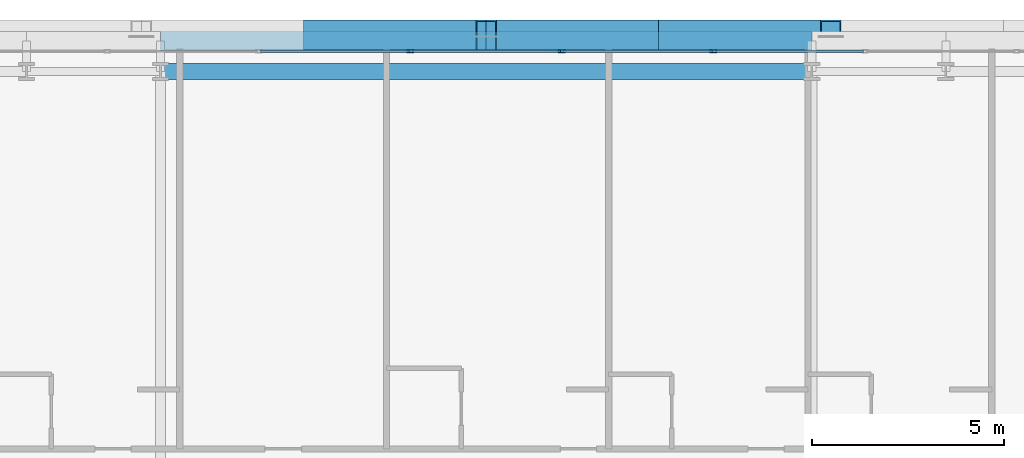
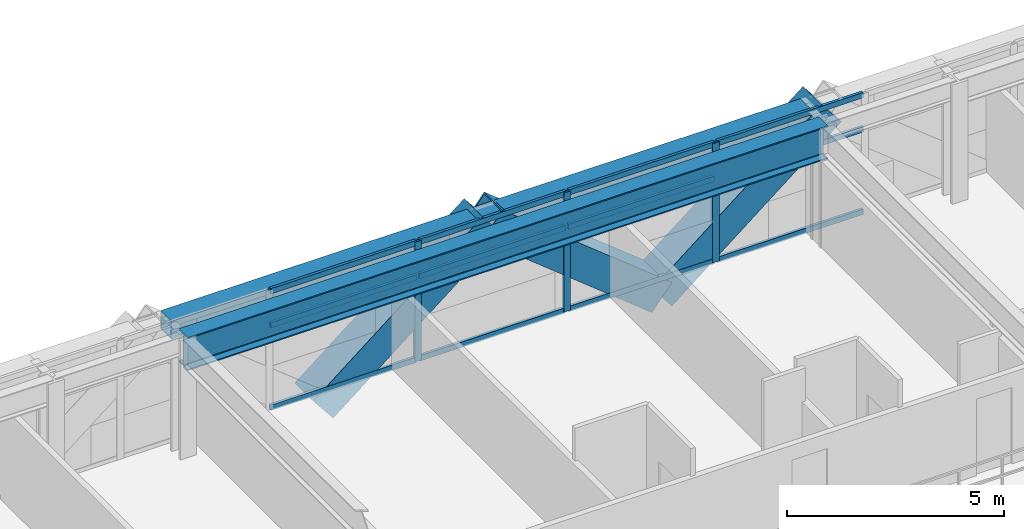
# One storey, part 22 of 41: 18 members, 2 beams, 1 element without a shape of its own.
"""IFC4 building model written with IfcOpenShell, lengths in metres."""

import ifcopenshell
import ifcopenshell.guid

model = None  # the IFC model being written
_history = None  # IfcOwnerHistory: only IFC2X3 demands one
_inside = {}  # id of a spatial element -> (the spatial element, [elements in it])
_under = {}  # id of a project, library or spatial element -> (it, [spatial elements below it])
_declared = {}  # id of a project -> (the project, [libraries it declares])
_typed = {}  # id of a type object -> (the type object, [elements of that type])
_made_of = {}  # id of a material, layer set ... -> (it, [elements and type objects made of it])


def new_model(schema):
    """Start an empty IFC model of exactly this schema.

    Asked for "IFC4X3", IfcOpenShell would pick the latest addendum, in which some entities
    have other attributes; the version numbers below select the first issue.
    IFC2X3 requires an IfcOwnerHistory on every rooted entity: one is made here for all.
    """
    global model, _history
    if schema == "IFC4X3":
        model = ifcopenshell.file(schema_version=(4, 3, 0, 0))
    else:
        model = ifcopenshell.file(schema=schema)
    _inside.clear()
    _under.clear()
    _declared.clear()
    _typed.clear()
    _made_of.clear()
    _history = None
    if model.schema == "IFC2X3":
        org = make("IfcOrganization", Name="unknown")
        user = make(
            "IfcPersonAndOrganization",
            ThePerson=make("IfcPerson", FamilyName="unknown"),
            TheOrganization=org,
        )
        app = make(
            "IfcApplication",
            ApplicationDeveloper=org,
            Version="unknown",
            ApplicationFullName="unknown",
            ApplicationIdentifier="unknown",
        )
        _history = make(
            "IfcOwnerHistory",
            OwningUser=user,
            OwningApplication=app,
            ChangeAction="ADDED",
            CreationDate=0,
        )
    return model


def make(cls, **values):
    """One entity of the class cls with the attributes given. An attribute that is None is left unset."""
    return model.create_entity(
        cls, **{name: value for name, value in values.items() if value is not None}
    )


def rooted(cls, **values):
    """An entity with a GlobalId (a new one), such as an element, a storey or a relation."""
    return make(cls, GlobalId=ifcopenshell.guid.new(), OwnerHistory=_history, **values)


def si_unit(unit_type, name, prefix=None):
    """IfcSIUnit, for example si_unit("LENGTHUNIT", "METRE", prefix="MILLI")."""
    return make("IfcSIUnit", UnitType=unit_type, Prefix=prefix, Name=name)


def assignment(units):
    """IfcUnitAssignment: the units of a project."""
    return None if units is None else make("IfcUnitAssignment", Units=units)


def point(xyz):
    """IfcCartesianPoint."""
    return None if xyz is None else make("IfcCartesianPoint", Coordinates=xyz)


def direction(xyz):
    """IfcDirection."""
    return None if xyz is None else make("IfcDirection", DirectionRatios=xyz)


def frame(location, z_axis=None, x_axis=None):
    """IfcAxis2Placement3D, a coordinate frame: its origin and axes. An axis left out is left unset."""
    return make(
        "IfcAxis2Placement3D",
        Location=point(location),
        Axis=direction(z_axis),
        RefDirection=direction(x_axis),
    )


def frame_2d(location, x_axis=None):
    """IfcAxis2Placement2D, a coordinate frame in the plane: its origin and x axis."""
    return make(
        "IfcAxis2Placement2D", Location=point(location), RefDirection=direction(x_axis)
    )


def origin():
    """The frame at (0, 0, 0) with its axes left unset."""
    return frame((0.0, 0.0, 0.0))


def origin_2d():
    """The frame at (0, 0) in the plane with its x axis left unset."""
    return frame_2d((0.0, 0.0))


def place(relative_to, where):
    """IfcLocalPlacement: puts the frame where relative to a parent placement (None: the world)."""
    return make(
        "IfcLocalPlacement", PlacementRelTo=relative_to, RelativePlacement=where
    )


def context(
    kind, dimensions, precision=None, world=None, true_north=None, identifier=None
):
    """IfcGeometricRepresentationContext, for example the 3D "Model" context."""
    return make(
        "IfcGeometricRepresentationContext",
        ContextIdentifier=identifier,
        ContextType=kind,
        CoordinateSpaceDimension=dimensions,
        Precision=precision,
        WorldCoordinateSystem=world,
        TrueNorth=true_north,
    )


def subcontext(parent, identifier, kind, view, scale=None):
    """IfcGeometricRepresentationSubContext, for example "Body" below "Model"."""
    return make(
        "IfcGeometricRepresentationSubContext",
        ContextIdentifier=identifier,
        ContextType=kind,
        ParentContext=parent,
        TargetScale=scale,
        TargetView=view,
    )


def project(units=None, contexts=None):
    """IfcProject with its units and contexts."""
    return rooted(
        "IfcProject",
        Name="project",
        RepresentationContexts=contexts,
        UnitsInContext=assignment(units),
    )


def spatial(cls, under=None, at=None, **own):
    """A site, building, storey or space (cls), placed at a placement, below another one or the project."""
    s = rooted(cls, ObjectPlacement=at, **own)
    if under is not None:
        _under.setdefault(under.id(), (under, []))[1].append(s)
    return s


def profile(cls, at=None, kind="AREA", **sizes):
    """A parametric profile (cls). Its sizes go by their IFC names, for example OverallWidth=200.0."""
    return make(cls, ProfileType=kind, Position=at, **sizes)


def hollow_rectangle(**sizes):
    """IfcRectangleHollowProfileDef."""
    return profile("IfcRectangleHollowProfileDef", **sizes)


def i_section(**sizes):
    """IfcIShapeProfileDef."""
    return profile("IfcIShapeProfileDef", **sizes)


def extrude(swept, where, along, depth):
    """IfcExtrudedAreaSolid: the profile swept, set in the frame where, extruded along a direction by depth."""
    return make(
        "IfcExtrudedAreaSolid",
        SweptArea=swept,
        Position=where,
        ExtrudedDirection=direction(along),
        Depth=depth,
    )


def shape(context_of_items, identifier, shape_type, items):
    """IfcShapeRepresentation: the items that make up one representation, for example the "Body"."""
    return make(
        "IfcShapeRepresentation",
        ContextOfItems=context_of_items,
        RepresentationIdentifier=identifier,
        RepresentationType=shape_type,
        Items=items,
    )


def source(mapping_origin, context_of_items, identifier, shape_type, items):
    """IfcRepresentationMap: a shape defined once, which mapped items show again and again."""
    return make(
        "IfcRepresentationMap",
        MappingOrigin=mapping_origin,
        MappedRepresentation=shape(context_of_items, identifier, shape_type, items),
    )


def transform(
    local_origin,
    x_axis=None,
    y_axis=None,
    z_axis=None,
    scale=None,
    scale2=None,
    scale3=None,
    uniform=True,
):
    """IfcCartesianTransformationOperator3D, or its non-uniform kind. x_axis, y_axis, z_axis: its Axis1, 2, 3."""
    if uniform:
        return make(
            "IfcCartesianTransformationOperator3D",
            Axis1=direction(x_axis),
            Axis2=direction(y_axis),
            LocalOrigin=point(local_origin),
            Scale=scale,
            Axis3=direction(z_axis),
        )
    return make(
        "IfcCartesianTransformationOperator3DnonUniform",
        Axis1=direction(x_axis),
        Axis2=direction(y_axis),
        LocalOrigin=point(local_origin),
        Scale=scale,
        Axis3=direction(z_axis),
        Scale2=scale2,
        Scale3=scale3,
    )


def mapped(mapping_source, mapping_target):
    """IfcMappedItem: shows the shape of a source again, moved by a transform."""
    return make(
        "IfcMappedItem", MappingSource=mapping_source, MappingTarget=mapping_target
    )


def material(Name=None, Category=None):
    """IfcMaterial."""
    return make("IfcMaterial", Name=Name, Category=Category)


def layer(
    of_material, thickness, ventilated=None, Name=None, Category=None, Priority=None
):
    """IfcMaterialLayer: one layer of a wall or slab, of a material (None: an air gap)."""
    return make(
        "IfcMaterialLayer",
        Material=of_material,
        LayerThickness=thickness,
        IsVentilated=ventilated,
        Name=Name,
        Category=Category,
        Priority=Priority,
    )


def layer_set(layers, Name=None):
    """IfcMaterialLayerSet."""
    return make("IfcMaterialLayerSet", MaterialLayers=layers, LayerSetName=Name)


def material_profile(
    of_material, cross_section, Name=None, Category=None, Priority=None
):
    """IfcMaterialProfile: a cross section and its material."""
    return make(
        "IfcMaterialProfile",
        Name=Name,
        Material=of_material,
        Profile=cross_section,
        Priority=Priority,
        Category=Category,
    )


def profile_set(profiles, Name=None, composite=None):
    """IfcMaterialProfileSet."""
    return make(
        "IfcMaterialProfileSet",
        Name=Name,
        MaterialProfiles=profiles,
        CompositeProfile=composite,
    )


def made_of(thing, what):
    """Note that an element or type object is made of a material, layer set ...; save() writes the relation."""
    if what is not None:
        _made_of.setdefault(what.id(), (what, []))[1].append(thing)
    return thing


def type_object(cls, material=None, **own):
    """A type object (cls), such as IfcWallType, which elements share."""
    return made_of(rooted(cls, **own), material)


def element(
    cls,
    number,
    at=None,
    inside=None,
    cuts=None,
    type_object=None,
    material=None,
    context=None,
    identifier="Body",
    shape_type=None,
    held_by="IfcProductDefinitionShape",
    body=None,
    shapes=None,
    **own,
):
    """One element of the class cls, such as IfcWall. Its Tag is "e" and its number.

    at: its placement. inside: the storey or other place that contains it. cuts: it is an
    opening in that element (IfcRelVoidsElement). A single representation is given by context,
    identifier, shape_type and body (its items); several are given by shapes. held_by: the class
    of the entity that holds the representations. save() writes the other relations.
    """
    e = rooted(cls, Tag="e%d" % number, ObjectPlacement=at, **own)
    if body is not None:
        shapes = [shape(context, identifier, shape_type, body)]
    if shapes is not None:
        e.Representation = make(held_by, Representations=shapes)
    if inside is not None:
        _inside.setdefault(inside.id(), (inside, []))[1].append(e)
    if cuts is not None:
        rooted(
            "IfcRelVoidsElement", RelatingBuildingElement=cuts, RelatedOpeningElement=e
        )
    if type_object is not None:
        _typed.setdefault(type_object.id(), (type_object, []))[1].append(e)
    return made_of(e, material)


def aggregate(whole, parts):
    """IfcRelAggregates: a whole, such as a stair, and the parts it consists of."""
    return rooted("IfcRelAggregates", RelatingObject=whole, RelatedObjects=parts)


def save(model, path):
    """Write the relations noted so far, then the file.

    IfcRelAggregates (storeys below a building ...), IfcRelContainedInSpatialStructure (elements
    in a storey), IfcRelDefinesByType, IfcRelAssociatesMaterial and IfcRelDeclares: one each for
    every whole, place, type object, material and project.
    """
    for whole, parts in _under.values():
        aggregate(whole, parts)
    for where, things in _inside.values():
        rooted(
            "IfcRelContainedInSpatialStructure",
            RelatedElements=things,
            RelatingStructure=where,
        )
    for kind, things in _typed.values():
        rooted("IfcRelDefinesByType", RelatedObjects=things, RelatingType=kind)
    for what, things in _made_of.values():
        rooted("IfcRelAssociatesMaterial", RelatedObjects=things, RelatingMaterial=what)
    for by, libraries in _declared.values():
        rooted("IfcRelDeclares", RelatingContext=by, RelatedDefinitions=libraries)
    model.write(path)


model = new_model("IFC4")

# Units and contexts
model_context = context("Model", 3, precision=1e-05, world=origin(), true_north=direction((0.0, 1.0)))
body_context = subcontext(model_context, "Body", "Model", "MODEL_VIEW")
ifc_project = project(units=[si_unit("LENGTHUNIT", "METRE"), si_unit("AREAUNIT", "SQUARE_METRE"), si_unit("VOLUMEUNIT", "CUBIC_METRE"), si_unit("PLANEANGLEUNIT", "RADIAN"), si_unit("MASSUNIT", "GRAM", prefix="KILO")], contexts=[model_context])

# Site, building, storey
site_placement = place(None, origin())
site = spatial("IfcSite", under=ifc_project, at=site_placement, CompositionType="ELEMENT")
building_placement = place(site_placement, origin())
building = spatial("IfcBuilding", under=site, at=building_placement, Name="Ocotamira Hotel", CompositionType="ELEMENT")
storey_placement = place(building_placement, frame((0.0, 0.0, 67.199951171875)))
storey = spatial("IfcBuildingStorey", under=building, at=storey_placement, Name="L16", CompositionType="ELEMENT", Elevation=67.199951171875)

# Beams
ifc_material_1 = material(Name="Steel ASTM A992 Grade 50", Category="steel")
ifc_material_profile_1 = material_profile(ifc_material_1, i_section(OverallWidth=0.41796875, OverallDepth=0.927001953125, WebThickness=0.019287109375, FlangeThickness=0.031982421875, FilletRadius=0.02392578125, at=origin_2d()), Name="W36X231")
ifc_profile_set_1 = profile_set([ifc_material_profile_1], Name="Steel ASTM A992 Grade 50")
beam_type_1 = type_object("IfcBeamType", Name="BM-GIRD-W36X231", PredefinedType="BEAM", material=ifc_profile_set_1)
shared_shape_1 = source(origin(), body_context, "Body", "SweptSolid", [
    extrude(i_section(OverallWidth=0.41796875, OverallDepth=0.927001953125, WebThickness=0.019287109375, FlangeThickness=0.031982421875, FilletRadius=0.02392578125, at=origin_2d()), origin(), (0.0, 0.0, 1.0), 17.0),
])
beam_1_placement = place(storey_placement, frame((23.5, 49.050048828125, 2.886474609375), z_axis=(1.0, 0.0, 0.0), x_axis=(0.0, 1.0, 0.0)))
element("IfcBeam", 1, at=beam_1_placement, inside=storey, type_object=beam_type_1, Name="L16 Girder Y49.05 X23.5-40.5", PredefinedType="BEAM", context=body_context, shape_type="MappedRepresentation", body=[
    mapped(shared_shape_1, transform((0.0, 0.0, 0.0), scale=1.0)),
])
ifc_material_2 = material(Name="Steel ASTM A500 Grade C", Category="steel")
ifc_material_profile_2 = material_profile(ifc_material_2, hollow_rectangle(XDim=0.5, YDim=0.5, WallThickness=0.02001953125, at=origin_2d()), Name="HSS500X500X20")
ifc_profile_set_2 = profile_set([ifc_material_profile_2], Name="Steel ASTM A500 Grade C")
beam_type_2 = type_object("IfcBeamType", Name="BM-SPAN-HSS500", PredefinedType="USERDEFINED", material=ifc_profile_set_2)
shared_shape_2 = source(origin(), body_context, "Body", "SweptSolid", [
    extrude(hollow_rectangle(XDim=0.5, YDim=0.5, WallThickness=0.02001953125, at=origin_2d()), origin(), (0.0, 0.0, 1.0), 17.0),
])
beam_2_placement = place(storey_placement, frame((23.5, 49.85009765625, 3.10009765625), z_axis=(1.0, 0.0, 0.0), x_axis=(0.0, 1.0, 0.0)))
element("IfcBeam", 2, at=beam_2_placement, inside=storey, type_object=beam_type_2, Name="L16 Edge Spandrel N X23.5-40.5", ObjectType="SPANDREL", PredefinedType="USERDEFINED", context=body_context, shape_type="MappedRepresentation", body=[
    mapped(shared_shape_2, transform((0.0, 0.0, 0.0), scale=1.0)),
])

# Members
ifc_material_3 = material(Name="Pale-metal coated steel ASTM A913 Grade 65", Category="steel")
ifc_material_profile_3 = material_profile(ifc_material_3, hollow_rectangle(XDim=0.85009765625, YDim=0.85009765625, WallThickness=0.035888671875, at=origin_2d()), Name="BOX850X850X36")
ifc_profile_set_3 = profile_set([ifc_material_profile_3], Name="Pale-metal coated steel ASTM A913 Grade 65")
member_type_1 = type_object("IfcMemberType", Name="MEM-EXO-BOX850", PredefinedType="BRACE", material=ifc_profile_set_3)
shared_shape_3 = source(origin(), body_context, "Body", "SweptSolid", [
    extrude(hollow_rectangle(XDim=0.85009765625, YDim=0.85009765625, WallThickness=0.035888671875, at=origin_2d()), origin(), (0.0, 0.0, 1.0), 5.762939453125),
])
for number, where, z_axis, x_axis, name in (
    (3, (27.5, 49.969970703125, -0.5), (0.780860543151, 0.0, 0.624705380279), (0.0, 1.0, 0.0), "L16 Exoskeleton Diagrid N1.2"),
    (4, (36.5, 49.969970703125, -0.5), (-0.780860543151, 0.0, 0.624705380279), (0.0, -1.0, 0.0), "L16 Exoskeleton Diagrid N2.1"),
    (5, (36.5, 49.969970703125, -0.5), (0.780860543151, 0.0, 0.624705380279), (0.0, 1.0, 0.0), "L16 Exoskeleton Diagrid N2.2"),
):
    element("IfcMember", number, at=place(storey_placement, frame(where, z_axis=z_axis, x_axis=x_axis)), inside=storey, type_object=member_type_1, Name=name, PredefinedType="BRACE", context=body_context, shape_type="MappedRepresentation", body=[
        mapped(shared_shape_3, transform((0.0, 0.0, 0.0), scale=1.0)),
    ])

# Curtain wall, members
ifc_material_4 = material(Name="Anodised pale-metal aluminium and solar glass", Category="aluminium")
ifc_layer = layer(ifc_material_4, 0.179931640625)
ifc_layer_set = layer_set([ifc_layer], Name="Anodised pale-metal aluminium and solar glass")
curtain_wall_type = type_object("IfcCurtainWallType", Name="CW-SYS2-Z1", PredefinedType="NOTDEFINED", material=ifc_layer_set)
curtain_wall_placement = place(storey_placement, origin())
curtain_wall = element("IfcCurtainWall", 6, at=curtain_wall_placement, inside=storey, type_object=curtain_wall_type, Name="L16 Curtain Wall CW-2 CW-L16-N", PredefinedType="NOTDEFINED")
ifc_material_5 = material(Name="Anodised pale-metal aluminium 6063-T6", Category="aluminium")
ifc_material_profile_4 = material_profile(ifc_material_5, hollow_rectangle(XDim=0.074951171875, YDim=0.14990234375, WallThickness=0.006103515625, at=origin_2d()), Name="HSS150X75X6")
ifc_profile_set_4 = profile_set([ifc_material_profile_4], Name="Anodised pale-metal aluminium 6063-T6")
member_type_2 = type_object("IfcMemberType", Name="CWT-150X75", PredefinedType="USERDEFINED", material=ifc_profile_set_4)
shared_shape_4 = source(origin(), body_context, "Body", "SweptSolid", [
    extrude(hollow_rectangle(XDim=0.074951171875, YDim=0.14990234375, WallThickness=0.006103515625, at=origin_2d()), origin(), (0.0, 0.0, 1.0), 3.87548828125),
])
member_1_placement = place(storey_placement, frame((26.106689453125, 49.580078125, 0.03759765625), z_axis=(1.0, 0.0, 0.0), x_axis=(0.0, 1.0, 0.0)))
member_1 = element("IfcMember", 7, at=member_1_placement, type_object=member_type_2, Name="CW-2 transom 4.1", ObjectType="TRANSOM", PredefinedType="USERDEFINED", context=body_context, shape_type="MappedRepresentation", body=[
    mapped(shared_shape_4, transform((0.0, 0.0, 0.0), scale=1.0)),
])
member_2_placement = place(storey_placement, frame((26.106689453125, 49.580078125, 2.35009765625), z_axis=(1.0, 0.0, 0.0), x_axis=(0.0, 1.0, 0.0)))
member_2 = element("IfcMember", 8, at=member_2_placement, type_object=member_type_2, Name="CW-2 transom 4.2", ObjectType="TRANSOM", PredefinedType="USERDEFINED", context=body_context, shape_type="MappedRepresentation", body=[
    mapped(shared_shape_4, transform((0.0, 0.0, 0.0), scale=1.0)),
])
member_3_placement = place(storey_placement, frame((26.106689453125, 49.580078125, 3.3125), z_axis=(1.0, 0.0, 0.0), x_axis=(0.0, 1.0, 0.0)))
member_3 = element("IfcMember", 9, at=member_3_placement, type_object=member_type_2, Name="CW-2 transom 4.3", ObjectType="TRANSOM", PredefinedType="USERDEFINED", context=body_context, shape_type="MappedRepresentation", body=[
    mapped(shared_shape_4, transform((0.0, 0.0, 0.0), scale=1.0)),
])
member_4_placement = place(storey_placement, frame((30.062255859375, 49.580078125, 0.03759765625), z_axis=(1.0, 0.0, 0.0), x_axis=(0.0, 1.0, 0.0)))
member_4 = element("IfcMember", 10, at=member_4_placement, type_object=member_type_2, Name="CW-2 transom 5.1", ObjectType="TRANSOM", PredefinedType="USERDEFINED", context=body_context, shape_type="MappedRepresentation", body=[
    mapped(shared_shape_4, transform((0.0, 0.0, 0.0), scale=1.0)),
])
member_5_placement = place(storey_placement, frame((30.062255859375, 49.580078125, 2.35009765625), z_axis=(1.0, 0.0, 0.0), x_axis=(0.0, 1.0, 0.0)))
member_5 = element("IfcMember", 11, at=member_5_placement, type_object=member_type_2, Name="CW-2 transom 5.2", ObjectType="TRANSOM", PredefinedType="USERDEFINED", context=body_context, shape_type="MappedRepresentation", body=[
    mapped(shared_shape_4, transform((0.0, 0.0, 0.0), scale=1.0)),
])
member_6_placement = place(storey_placement, frame((30.062255859375, 49.580078125, 3.3125), z_axis=(1.0, 0.0, 0.0), x_axis=(0.0, 1.0, 0.0)))
member_6 = element("IfcMember", 12, at=member_6_placement, type_object=member_type_2, Name="CW-2 transom 5.3", ObjectType="TRANSOM", PredefinedType="USERDEFINED", context=body_context, shape_type="MappedRepresentation", body=[
    mapped(shared_shape_4, transform((0.0, 0.0, 0.0), scale=1.0)),
])
member_7_placement = place(storey_placement, frame((34.017822265625, 49.580078125, 0.03759765625), z_axis=(1.0, 0.0, 0.0), x_axis=(0.0, 1.0, 0.0)))
member_7 = element("IfcMember", 13, at=member_7_placement, type_object=member_type_2, Name="CW-2 transom 6.1", ObjectType="TRANSOM", PredefinedType="USERDEFINED", context=body_context, shape_type="MappedRepresentation", body=[
    mapped(shared_shape_4, transform((0.0, 0.0, 0.0), scale=1.0)),
])
member_8_placement = place(storey_placement, frame((34.017822265625, 49.580078125, 2.35009765625), z_axis=(1.0, 0.0, 0.0), x_axis=(0.0, 1.0, 0.0)))
member_8 = element("IfcMember", 14, at=member_8_placement, type_object=member_type_2, Name="CW-2 transom 6.2", ObjectType="TRANSOM", PredefinedType="USERDEFINED", context=body_context, shape_type="MappedRepresentation", body=[
    mapped(shared_shape_4, transform((0.0, 0.0, 0.0), scale=1.0)),
])
member_9_placement = place(storey_placement, frame((34.017822265625, 49.580078125, 3.3125), z_axis=(1.0, 0.0, 0.0), x_axis=(0.0, 1.0, 0.0)))
member_9 = element("IfcMember", 15, at=member_9_placement, type_object=member_type_2, Name="CW-2 transom 6.3", ObjectType="TRANSOM", PredefinedType="USERDEFINED", context=body_context, shape_type="MappedRepresentation", body=[
    mapped(shared_shape_4, transform((0.0, 0.0, 0.0), scale=1.0)),
])
member_10_placement = place(storey_placement, frame((37.973388671875, 49.580078125, 0.03759765625), z_axis=(1.0, 0.0, 0.0), x_axis=(0.0, 1.0, 0.0)))
member_10 = element("IfcMember", 16, at=member_10_placement, type_object=member_type_2, Name="CW-2 transom 7.1", ObjectType="TRANSOM", PredefinedType="USERDEFINED", context=body_context, shape_type="MappedRepresentation", body=[
    mapped(shared_shape_4, transform((0.0, 0.0, 0.0), scale=1.0)),
])
member_11_placement = place(storey_placement, frame((37.973388671875, 49.580078125, 2.35009765625), z_axis=(1.0, 0.0, 0.0), x_axis=(0.0, 1.0, 0.0)))
member_11 = element("IfcMember", 17, at=member_11_placement, type_object=member_type_2, Name="CW-2 transom 7.2", ObjectType="TRANSOM", PredefinedType="USERDEFINED", context=body_context, shape_type="MappedRepresentation", body=[
    mapped(shared_shape_4, transform((0.0, 0.0, 0.0), scale=1.0)),
])
member_12_placement = place(storey_placement, frame((37.973388671875, 49.580078125, 3.3125), z_axis=(1.0, 0.0, 0.0), x_axis=(0.0, 1.0, 0.0)))
member_12 = element("IfcMember", 18, at=member_12_placement, type_object=member_type_2, Name="CW-2 transom 7.3", ObjectType="TRANSOM", PredefinedType="USERDEFINED", context=body_context, shape_type="MappedRepresentation", body=[
    mapped(shared_shape_4, transform((0.0, 0.0, 0.0), scale=1.0)),
])
ifc_material_profile_5 = material_profile(ifc_material_5, hollow_rectangle(XDim=0.080078125, YDim=0.179931640625, WallThickness=0.006103515625, at=origin_2d()), Name="HSS180X80X6")
ifc_profile_set_5 = profile_set([ifc_material_profile_5], Name="Anodised pale-metal aluminium 6063-T6")
member_type_3 = type_object("IfcMemberType", Name="CWM-180X75", PredefinedType="MULLION", material=ifc_profile_set_5)
shared_shape_5 = source(origin(), body_context, "Body", "SweptSolid", [
    extrude(hollow_rectangle(XDim=0.080078125, YDim=0.179931640625, WallThickness=0.006103515625, at=origin_2d()), origin(), (0.0, 0.0, 1.0), 3.35009765625),
])
member_13_placement = place(storey_placement, frame((30.022216796875, 49.580078125, 0.0), z_axis=(0.0, 0.0, 1.0), x_axis=(0.0, 1.0, 0.0)))
member_13 = element("IfcMember", 19, at=member_13_placement, type_object=member_type_3, Name="CW-2 mullion 5", PredefinedType="MULLION", context=body_context, shape_type="MappedRepresentation", body=[
    mapped(shared_shape_5, transform((0.0, 0.0, 0.0), scale=1.0)),
])
member_14_placement = place(storey_placement, frame((33.977783203125, 49.580078125, 0.0), z_axis=(0.0, 0.0, 1.0), x_axis=(0.0, 1.0, 0.0)))
member_14 = element("IfcMember", 20, at=member_14_placement, type_object=member_type_3, Name="CW-2 mullion 6", PredefinedType="MULLION", context=body_context, shape_type="MappedRepresentation", body=[
    mapped(shared_shape_5, transform((0.0, 0.0, 0.0), scale=1.0)),
])
member_15_placement = place(storey_placement, frame((37.933349609375, 49.580078125, 0.0), z_axis=(0.0, 0.0, 1.0), x_axis=(0.0, 1.0, 0.0)))
member_15 = element("IfcMember", 21, at=member_15_placement, type_object=member_type_3, Name="CW-2 mullion 7", PredefinedType="MULLION", context=body_context, shape_type="MappedRepresentation", body=[
    mapped(shared_shape_5, transform((0.0, 0.0, 0.0), scale=1.0)),
])
aggregate(curtain_wall, [member_13, member_14, member_15, member_1, member_2, member_3, member_4, member_5, member_6, member_7, member_8, member_9, member_10, member_11, member_12])

save(model, "model.ifc")
